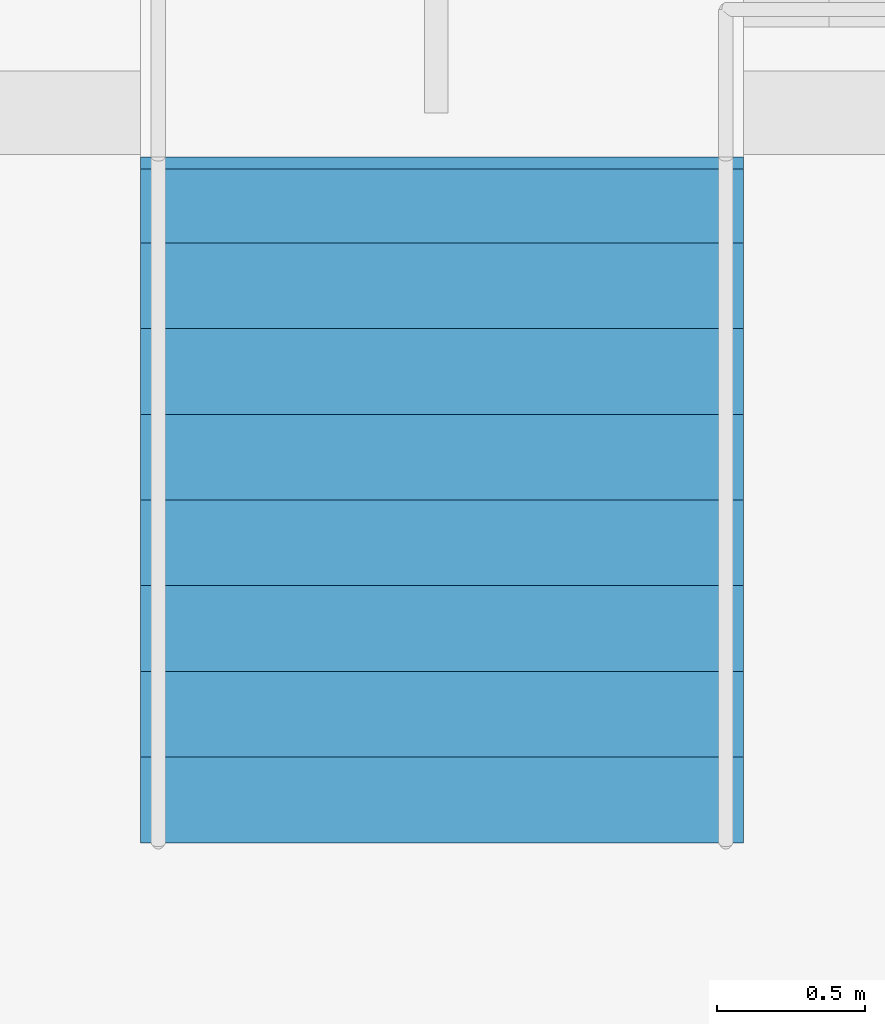
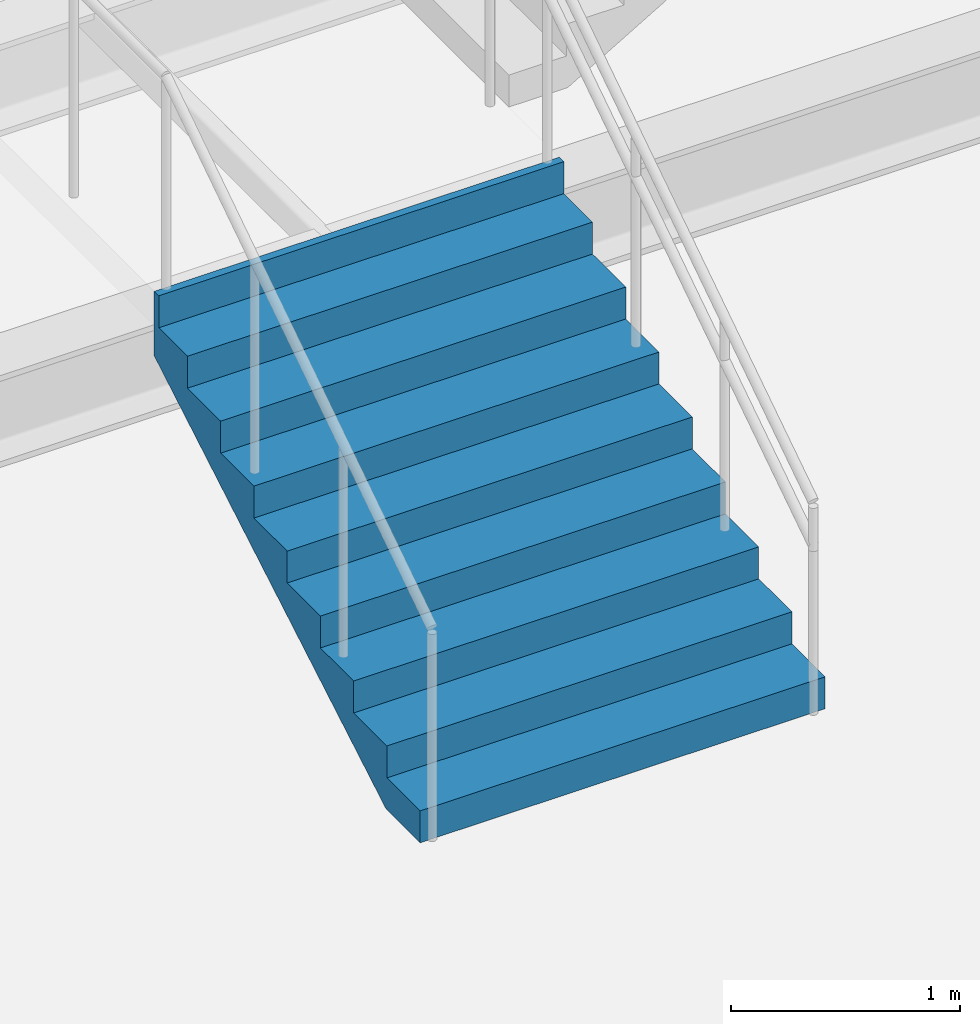
# One storey, part 42 of 49: 1 stair flight, 1 element without a shape of its own.
"""IFC4 building model written with IfcOpenShell, lengths in metres."""

from ifc_helpers import new_model, si_unit, direction, frame, origin, place, context, subcontext, project, spatial, triangles, material, type_object, element, aggregate, save


model = new_model("IFC4")

# Units and contexts
model_context = context("Model", 3, precision=1e-05, world=origin(), true_north=direction((0.0, 1.0)))
body_context = subcontext(model_context, "Body", "Model", "MODEL_VIEW")
ifc_project = project(units=[si_unit("LENGTHUNIT", "METRE"), si_unit("AREAUNIT", "SQUARE_METRE"), si_unit("VOLUMEUNIT", "CUBIC_METRE"), si_unit("PLANEANGLEUNIT", "RADIAN"), si_unit("MASSUNIT", "GRAM", prefix="KILO")], contexts=[model_context])

# Site, building, storey
site_placement = place(None, origin())
site = spatial("IfcSite", under=ifc_project, at=site_placement, CompositionType="ELEMENT")
building_placement = place(site_placement, origin())
building = spatial("IfcBuilding", under=site, at=building_placement, Name="Sillaruma Civic Art Gallery", CompositionType="ELEMENT")
storey_placement = place(building_placement, frame((0.0, 0.0, 33.14990234375)))
storey = spatial("IfcBuildingStorey", under=building, at=storey_placement, Name="L06", CompositionType="ELEMENT", Elevation=33.14990234375)

# Stair, stair flight
ifc_material = material(Name="Concrete H35 (35 MPa)", Category="concrete")
stair_type = type_object("IfcStairType", Name="STR-3F-27", PredefinedType="TWO_QUARTER_TURN_STAIR", material=ifc_material)
stair_placement = place(storey_placement, origin())
stair = element("IfcStair", 1, at=stair_placement, inside=storey, type_object=stair_type, Name="Monumental Gallery Feature Stair ST-G03 (L06)", PredefinedType="TWO_QUARTER_TURN_STAIR")
stair_flight_type = type_object("IfcStairFlightType", Name="SFL-STR-9", PredefinedType="STRAIGHT", material=ifc_material)
stair_flight_placement = place(storey_placement, frame((85.6201171875, 71.0, 0.0), z_axis=(0.0, 0.0, 1.0), x_axis=(0.0, 1.0, 0.0)))
stair_flight = element("IfcStairFlight", 2, at=stair_flight_placement, type_object=stair_flight_type, Name="ST-G03 flight 1", NumberOfRisers=9, NumberOfTreads=8, PredefinedType="STRAIGHT", RiserHeight=0.17, TreadLength=0.29, context=body_context, shape_type="Tessellation", body=[
    triangles([(0.0, -1.02001953125, 0.0), (0.29, -1.02001953125, 0.0), (0.296482, -1.02001953125, 0.0), (0.58, -1.02001953125, 0.1662), (0.87, -1.02001953125, 0.3362), (1.16, -1.02001953125, 0.5062), (1.45, -1.02001953125, 0.6762), (1.74, -1.02001953125, 0.8462), (2.03, -1.02001953125, 1.0162), (2.280068, -1.02001953125, 1.162792), (2.320068, -1.02001953125, 1.18624), (2.320068, -1.02001953125, 1.53), (2.280068, -1.02001953125, 1.53), (2.280068, -1.02001953125, 1.36), (2.03, -1.02001953125, 1.36), (2.03, -1.02001953125, 1.19), (1.74, -1.02001953125, 1.19), (1.74, -1.02001953125, 1.02), (1.45, -1.02001953125, 1.02), (1.45, -1.02001953125, 0.85), (1.16, -1.02001953125, 0.85), (1.16, -1.02001953125, 0.68), (0.87, -1.02001953125, 0.68), (0.87, -1.02001953125, 0.51), (0.58, -1.02001953125, 0.51), (0.58, -1.02001953125, 0.34), (0.296482, -1.02001953125, 0.34), (0.29, -1.02001953125, 0.34), (0.29, -1.02001953125, 0.17), (0.0, -1.02001953125, 0.17), (0.0, -0.05, 0.0), (0.29, -0.05, 0.0), (0.296482, -0.05, 0.0), (0.58, -0.05, 0.1662), (0.87, -0.05, 0.3362), (1.16, -0.05, 0.5062), (1.45, -0.05, 0.6762), (1.74, -0.05, 0.8462), (2.03, -0.05, 1.0162), (2.280068, -0.05, 1.162792), (2.320068, -0.05, 1.18624), (2.320068, -0.05, 1.53), (2.280068, -0.05, 1.53), (2.280068, -0.05, 1.36), (2.03, -0.05, 1.36), (2.03, -0.05, 1.19), (1.74, -0.05, 1.19), (1.74, -0.05, 1.02), (1.45, -0.05, 1.02), (1.45, -0.05, 0.85), (1.16, -0.05, 0.85), (1.16, -0.05, 0.68), (0.87, -0.05, 0.68), (0.87, -0.05, 0.51), (0.58, -0.05, 0.51), (0.58, -0.05, 0.34), (0.296482, -0.05, 0.34), (0.29, -0.05, 0.34), (0.29, -0.05, 0.17), (0.0, -0.05, 0.17), (0.0, -0.0375, 0.0), (0.29, -0.0375, 0.0), (0.296482, -0.0375, 0.0), (0.58, -0.0375, 0.1662), (0.87, -0.0375, 0.3362), (1.16, -0.0375, 0.5062), (1.45, -0.0375, 0.6762), (1.74, -0.0375, 0.8462), (2.03, -0.0375, 1.0162), (2.280068, -0.0375, 1.162792), (2.320068, -0.0375, 1.18624), (2.320068, -0.0375, 1.53), (2.280068, -0.0375, 1.53), (2.280068, -0.0375, 1.36), (2.03, -0.0375, 1.36), (2.03, -0.0375, 1.19), (1.74, -0.0375, 1.19), (1.74, -0.0375, 1.02), (1.45, -0.0375, 1.02), (1.45, -0.0375, 0.85), (1.16, -0.0375, 0.85), (1.16, -0.0375, 0.68), (0.87, -0.0375, 0.68), (0.87, -0.0375, 0.51), (0.58, -0.0375, 0.51), (0.58, -0.0375, 0.34), (0.296482, -0.0375, 0.34), (0.29, -0.0375, 0.34), (0.29, -0.0375, 0.17), (0.0, -0.0375, 0.17), (0.0, -0.025, 0.0), (0.29, -0.025, 0.0), (0.296482, -0.025, 0.0), (0.58, -0.025, 0.1662), (0.87, -0.025, 0.3362), (1.16, -0.025, 0.5062), (1.45, -0.025, 0.6762), (1.74, -0.025, 0.8462), (2.03, -0.025, 1.0162), (2.280068, -0.025, 1.162792), (2.320068, -0.025, 1.18624), (2.320068, -0.025, 1.53), (2.280068, -0.025, 1.53), (2.280068, -0.025, 1.36), (2.03, -0.025, 1.36), (2.03, -0.025, 1.19), (1.74, -0.025, 1.19), (1.74, -0.025, 1.02), (1.45, -0.025, 1.02), (1.45, -0.025, 0.85), (1.16, -0.025, 0.85), (1.16, -0.025, 0.68), (0.87, -0.025, 0.68), (0.87, -0.025, 0.51), (0.58, -0.025, 0.51), (0.58, -0.025, 0.34), (0.296482, -0.025, 0.34), (0.29, -0.025, 0.34), (0.29, -0.025, 0.17), (0.0, -0.025, 0.17), (0.0, -0.0125, 0.0), (0.29, -0.0125, 0.0), (0.296482, -0.0125, 0.0), (0.58, -0.0125, 0.1662), (0.87, -0.0125, 0.3362), (1.16, -0.0125, 0.5062), (1.45, -0.0125, 0.6762), (1.74, -0.0125, 0.8462), (2.03, -0.0125, 1.0162), (2.280068, -0.0125, 1.162792), (2.320068, -0.0125, 1.18624), (2.320068, -0.0125, 1.53), (2.280068, -0.0125, 1.53), (2.280068, -0.0125, 1.36), (2.03, -0.0125, 1.36), (2.03, -0.0125, 1.19), (1.74, -0.0125, 1.19), (1.74, -0.0125, 1.02), (1.45, -0.0125, 1.02), (1.45, -0.0125, 0.85), (1.16, -0.0125, 0.85), (1.16, -0.0125, 0.68), (0.87, -0.0125, 0.68), (0.87, -0.0125, 0.51), (0.58, -0.0125, 0.51), (0.58, -0.0125, 0.34), (0.296482, -0.0125, 0.34), (0.29, -0.0125, 0.34), (0.29, -0.0125, 0.17), (0.0, -0.0125, 0.17), (0.0, 0.0, 0.0), (0.29, 0.0, 0.0), (0.296482, 0.0, 0.0), (0.58, 0.0, 0.1662), (0.87, 0.0, 0.3362), (1.16, 0.0, 0.5062), (1.45, 0.0, 0.6762), (1.74, 0.0, 0.8462), (2.03, 0.0, 1.0162), (2.280068, 0.0, 1.162792), (2.320068, 0.0, 1.18624), (2.320068, 0.0, 1.53), (2.280068, 0.0, 1.53), (2.280068, 0.0, 1.36), (2.03, 0.0, 1.36), (2.03, 0.0, 1.19), (1.74, 0.0, 1.19), (1.74, 0.0, 1.02), (1.45, 0.0, 1.02), (1.45, 0.0, 0.85), (1.16, 0.0, 0.85), (1.16, 0.0, 0.68), (0.87, 0.0, 0.68), (0.87, 0.0, 0.51), (0.58, 0.0, 0.51), (0.58, 0.0, 0.34), (0.296482, 0.0, 0.34), (0.29, 0.0, 0.34), (0.29, 0.0, 0.17), (0.0, 0.0, 0.17), (0.0, 0.0125, 0.0), (0.29, 0.0125, 0.0), (0.296482, 0.0125, 0.0), (0.58, 0.0125, 0.1662), (0.87, 0.0125, 0.3362), (1.16, 0.0125, 0.5062), (1.45, 0.0125, 0.6762), (1.74, 0.0125, 0.8462), (2.03, 0.0125, 1.0162), (2.280068, 0.0125, 1.162792), (2.320068, 0.0125, 1.18624), (2.320068, 0.0125, 1.53), (2.280068, 0.0125, 1.53), (2.280068, 0.0125, 1.36), (2.03, 0.0125, 1.36), (2.03, 0.0125, 1.19), (1.74, 0.0125, 1.19), (1.74, 0.0125, 1.02), (1.45, 0.0125, 1.02), (1.45, 0.0125, 0.85), (1.16, 0.0125, 0.85), (1.16, 0.0125, 0.68), (0.87, 0.0125, 0.68), (0.87, 0.0125, 0.51), (0.58, 0.0125, 0.51), (0.58, 0.0125, 0.34), (0.296482, 0.0125, 0.34), (0.29, 0.0125, 0.34), (0.29, 0.0125, 0.17), (0.0, 0.0125, 0.17), (0.0, 0.025, 0.0), (0.29, 0.025, 0.0), (0.296482, 0.025, 0.0), (0.58, 0.025, 0.1662), (0.87, 0.025, 0.3362), (1.16, 0.025, 0.5062), (1.45, 0.025, 0.6762), (1.74, 0.025, 0.8462), (2.03, 0.025, 1.0162), (2.280068, 0.025, 1.162792), (2.320068, 0.025, 1.18624), (2.320068, 0.025, 1.53), (2.280068, 0.025, 1.53), (2.280068, 0.025, 1.36), (2.03, 0.025, 1.36), (2.03, 0.025, 1.19), (1.74, 0.025, 1.19), (1.74, 0.025, 1.02), (1.45, 0.025, 1.02), (1.45, 0.025, 0.85), (1.16, 0.025, 0.85), (1.16, 0.025, 0.68), (0.87, 0.025, 0.68), (0.87, 0.025, 0.51), (0.58, 0.025, 0.51), (0.58, 0.025, 0.34), (0.296482, 0.025, 0.34), (0.29, 0.025, 0.34), (0.29, 0.025, 0.17), (0.0, 0.025, 0.17), (0.0, 0.0375, 0.0), (0.29, 0.0375, 0.0), (0.296482, 0.0375, 0.0), (0.58, 0.0375, 0.1662), (0.87, 0.0375, 0.3362), (1.16, 0.0375, 0.5062), (1.45, 0.0375, 0.6762), (1.74, 0.0375, 0.8462), (2.03, 0.0375, 1.0162), (2.280068, 0.0375, 1.162792), (2.320068, 0.0375, 1.18624), (2.320068, 0.0375, 1.53), (2.280068, 0.0375, 1.53), (2.280068, 0.0375, 1.36), (2.03, 0.0375, 1.36), (2.03, 0.0375, 1.19), (1.74, 0.0375, 1.19), (1.74, 0.0375, 1.02), (1.45, 0.0375, 1.02), (1.45, 0.0375, 0.85), (1.16, 0.0375, 0.85), (1.16, 0.0375, 0.68), (0.87, 0.0375, 0.68), (0.87, 0.0375, 0.51), (0.58, 0.0375, 0.51), (0.58, 0.0375, 0.34), (0.296482, 0.0375, 0.34), (0.29, 0.0375, 0.34), (0.29, 0.0375, 0.17), (0.0, 0.0375, 0.17), (0.0, 0.05, 0.0), (0.29, 0.05, 0.0), (0.296482, 0.05, 0.0), (0.58, 0.05, 0.1662), (0.87, 0.05, 0.3362), (1.16, 0.05, 0.5062), (1.45, 0.05, 0.6762), (1.74, 0.05, 0.8462), (2.03, 0.05, 1.0162), (2.280068, 0.05, 1.162792), (2.320068, 0.05, 1.18624), (2.320068, 0.05, 1.53), (2.280068, 0.05, 1.53), (2.280068, 0.05, 1.36), (2.03, 0.05, 1.36), (2.03, 0.05, 1.19), (1.74, 0.05, 1.19), (1.74, 0.05, 1.02), (1.45, 0.05, 1.02), (1.45, 0.05, 0.85), (1.16, 0.05, 0.85), (1.16, 0.05, 0.68), (0.87, 0.05, 0.68), (0.87, 0.05, 0.51), (0.58, 0.05, 0.51), (0.58, 0.05, 0.34), (0.296482, 0.05, 0.34), (0.29, 0.05, 0.34), (0.29, 0.05, 0.17), (0.0, 0.05, 0.17), (0.0, 1.02001953125, 0.0), (0.29, 1.02001953125, 0.0), (0.296482, 1.02001953125, 0.0), (0.58, 1.02001953125, 0.1662), (0.87, 1.02001953125, 0.3362), (1.16, 1.02001953125, 0.5062), (1.45, 1.02001953125, 0.6762), (1.74, 1.02001953125, 0.8462), (2.03, 1.02001953125, 1.0162), (2.280068, 1.02001953125, 1.162792), (2.320068, 1.02001953125, 1.18624), (2.320068, 1.02001953125, 1.53), (2.280068, 1.02001953125, 1.53), (2.280068, 1.02001953125, 1.36), (2.03, 1.02001953125, 1.36), (2.03, 1.02001953125, 1.19), (1.74, 1.02001953125, 1.19), (1.74, 1.02001953125, 1.02), (1.45, 1.02001953125, 1.02), (1.45, 1.02001953125, 0.85), (1.16, 1.02001953125, 0.85), (1.16, 1.02001953125, 0.68), (0.87, 1.02001953125, 0.68), (0.87, 1.02001953125, 0.51), (0.58, 1.02001953125, 0.51), (0.58, 1.02001953125, 0.34), (0.296482, 1.02001953125, 0.34), (0.29, 1.02001953125, 0.34), (0.29, 1.02001953125, 0.17), (0.0, 1.02001953125, 0.17)], [[1, 2, 29], [1, 29, 30], [2, 3, 27], [2, 27, 29], [29, 27, 28], [3, 4, 26], [3, 26, 27], [4, 5, 24], [4, 24, 26], [26, 24, 25], [5, 6, 22], [5, 22, 24], [24, 22, 23], [6, 7, 20], [6, 20, 22], [22, 20, 21], [7, 8, 18], [7, 18, 20], [20, 18, 19], [8, 9, 16], [8, 16, 18], [18, 16, 17], [9, 10, 14], [9, 14, 16], [16, 14, 15], [10, 11, 12], [10, 12, 14], [14, 12, 13], [329, 302, 301], [330, 329, 301], [327, 303, 302], [329, 327, 302], [328, 327, 329], [326, 304, 303], [327, 326, 303], [324, 305, 304], [326, 324, 304], [325, 324, 326], [322, 306, 305], [324, 322, 305], [323, 322, 324], [320, 307, 306], [322, 320, 306], [321, 320, 322], [318, 308, 307], [320, 318, 307], [319, 318, 320], [316, 309, 308], [318, 316, 308], [317, 316, 318], [314, 310, 309], [316, 314, 309], [315, 314, 316], [312, 311, 310], [314, 312, 310], [313, 312, 314], [2, 1, 31], [2, 31, 32], [3, 2, 32], [3, 32, 33], [4, 3, 33], [4, 33, 34], [5, 4, 34], [5, 34, 35], [6, 5, 35], [6, 35, 36], [7, 6, 36], [7, 36, 37], [8, 7, 37], [8, 37, 38], [9, 8, 38], [9, 38, 39], [10, 9, 39], [10, 39, 40], [11, 10, 40], [11, 40, 41], [12, 11, 41], [12, 41, 42], [13, 12, 42], [13, 42, 43], [14, 13, 43], [14, 43, 44], [15, 14, 44], [15, 44, 45], [16, 15, 45], [16, 45, 46], [17, 16, 46], [17, 46, 47], [18, 17, 47], [18, 47, 48], [19, 18, 48], [19, 48, 49], [20, 19, 49], [20, 49, 50], [21, 20, 50], [21, 50, 51], [22, 21, 51], [22, 51, 52], [23, 22, 52], [23, 52, 53], [24, 23, 53], [24, 53, 54], [25, 24, 54], [25, 54, 55], [26, 25, 55], [26, 55, 56], [27, 26, 56], [27, 56, 57], [28, 27, 57], [28, 57, 58], [29, 28, 58], [29, 58, 59], [30, 29, 59], [30, 59, 60], [1, 30, 60], [1, 60, 31], [32, 31, 61], [32, 61, 62], [33, 32, 62], [33, 62, 63], [34, 33, 63], [34, 63, 64], [35, 34, 64], [35, 64, 65], [36, 35, 65], [36, 65, 66], [37, 36, 66], [37, 66, 67], [38, 37, 67], [38, 67, 68], [39, 38, 68], [39, 68, 69], [40, 39, 69], [40, 69, 70], [41, 40, 70], [41, 70, 71], [42, 41, 71], [42, 71, 72], [43, 42, 72], [43, 72, 73], [44, 43, 73], [44, 73, 74], [45, 44, 74], [45, 74, 75], [46, 45, 75], [46, 75, 76], [47, 46, 76], [47, 76, 77], [48, 47, 77], [48, 77, 78], [49, 48, 78], [49, 78, 79], [50, 49, 79], [50, 79, 80], [51, 50, 80], [51, 80, 81], [52, 51, 81], [52, 81, 82], [53, 52, 82], [53, 82, 83], [54, 53, 83], [54, 83, 84], [55, 54, 84], [55, 84, 85], [56, 55, 85], [56, 85, 86], [57, 56, 86], [57, 86, 87], [58, 57, 87], [58, 87, 88], [59, 58, 88], [59, 88, 89], [60, 59, 89], [60, 89, 90], [31, 60, 90], [31, 90, 61], [62, 61, 91], [62, 91, 92], [63, 62, 92], [63, 92, 93], [64, 63, 93], [64, 93, 94], [65, 64, 94], [65, 94, 95], [66, 65, 95], [66, 95, 96], [67, 66, 96], [67, 96, 97], [68, 67, 97], [68, 97, 98], [69, 68, 98], [69, 98, 99], [70, 69, 99], [70, 99, 100], [71, 70, 100], [71, 100, 101], [72, 71, 101], [72, 101, 102], [73, 72, 102], [73, 102, 103], [74, 73, 103], [74, 103, 104], [75, 74, 104], [75, 104, 105], [76, 75, 105], [76, 105, 106], [77, 76, 106], [77, 106, 107], [78, 77, 107], [78, 107, 108], [79, 78, 108], [79, 108, 109], [80, 79, 109], [80, 109, 110], [81, 80, 110], [81, 110, 111], [82, 81, 111], [82, 111, 112], [83, 82, 112], [83, 112, 113], [84, 83, 113], [84, 113, 114], [85, 84, 114], [85, 114, 115], [86, 85, 115], [86, 115, 116], [87, 86, 116], [87, 116, 117], [88, 87, 117], [88, 117, 118], [89, 88, 118], [89, 118, 119], [90, 89, 119], [90, 119, 120], [61, 90, 120], [61, 120, 91], [92, 91, 121], [92, 121, 122], [93, 92, 122], [93, 122, 123], [94, 93, 123], [94, 123, 124], [95, 94, 124], [95, 124, 125], [96, 95, 125], [96, 125, 126], [97, 96, 126], [97, 126, 127], [98, 97, 127], [98, 127, 128], [99, 98, 128], [99, 128, 129], [100, 99, 129], [100, 129, 130], [101, 100, 130], [101, 130, 131], [102, 101, 131], [102, 131, 132], [103, 102, 132], [103, 132, 133], [104, 103, 133], [104, 133, 134], [105, 104, 134], [105, 134, 135], [106, 105, 135], [106, 135, 136], [107, 106, 136], [107, 136, 137], [108, 107, 137], [108, 137, 138], [109, 108, 138], [109, 138, 139], [110, 109, 139], [110, 139, 140], [111, 110, 140], [111, 140, 141], [112, 111, 141], [112, 141, 142], [113, 112, 142], [113, 142, 143], [114, 113, 143], [114, 143, 144], [115, 114, 144], [115, 144, 145], [116, 115, 145], [116, 145, 146], [117, 116, 146], [117, 146, 147], [118, 117, 147], [118, 147, 148], [119, 118, 148], [119, 148, 149], [120, 119, 149], [120, 149, 150], [91, 120, 150], [91, 150, 121], [122, 121, 151], [122, 151, 152], [123, 122, 152], [123, 152, 153], [124, 123, 153], [124, 153, 154], [125, 124, 154], [125, 154, 155], [126, 125, 155], [126, 155, 156], [127, 126, 156], [127, 156, 157], [128, 127, 157], [128, 157, 158], [129, 128, 158], [129, 158, 159], [130, 129, 159], [130, 159, 160], [131, 130, 160], [131, 160, 161], [132, 131, 161], [132, 161, 162], [133, 132, 162], [133, 162, 163], [134, 133, 163], [134, 163, 164], [135, 134, 164], [135, 164, 165], [136, 135, 165], [136, 165, 166], [137, 136, 166], [137, 166, 167], [138, 137, 167], [138, 167, 168], [139, 138, 168], [139, 168, 169], [140, 139, 169], [140, 169, 170], [141, 140, 170], [141, 170, 171], [142, 141, 171], [142, 171, 172], [143, 142, 172], [143, 172, 173], [144, 143, 173], [144, 173, 174], [145, 144, 174], [145, 174, 175], [146, 145, 175], [146, 175, 176], [147, 146, 176], [147, 176, 177], [148, 147, 177], [148, 177, 178], [149, 148, 178], [149, 178, 179], [150, 149, 179], [150, 179, 180], [121, 150, 180], [121, 180, 151], [152, 151, 181], [152, 181, 182], [153, 152, 182], [153, 182, 183], [154, 153, 183], [154, 183, 184], [155, 154, 184], [155, 184, 185], [156, 155, 185], [156, 185, 186], [157, 156, 186], [157, 186, 187], [158, 157, 187], [158, 187, 188], [159, 158, 188], [159, 188, 189], [160, 159, 189], [160, 189, 190], [161, 160, 190], [161, 190, 191], [162, 161, 191], [162, 191, 192], [163, 162, 192], [163, 192, 193], [164, 163, 193], [164, 193, 194], [165, 164, 194], [165, 194, 195], [166, 165, 195], [166, 195, 196], [167, 166, 196], [167, 196, 197], [168, 167, 197], [168, 197, 198], [169, 168, 198], [169, 198, 199], [170, 169, 199], [170, 199, 200], [171, 170, 200], [171, 200, 201], [172, 171, 201], [172, 201, 202], [173, 172, 202], [173, 202, 203], [174, 173, 203], [174, 203, 204], [175, 174, 204], [175, 204, 205], [176, 175, 205], [176, 205, 206], [177, 176, 206], [177, 206, 207], [178, 177, 207], [178, 207, 208], [179, 178, 208], [179, 208, 209], [180, 179, 209], [180, 209, 210], [151, 180, 210], [151, 210, 181], [182, 181, 211], [182, 211, 212], [183, 182, 212], [183, 212, 213], [184, 183, 213], [184, 213, 214], [185, 184, 214], [185, 214, 215], [186, 185, 215], [186, 215, 216], [187, 186, 216], [187, 216, 217], [188, 187, 217], [188, 217, 218], [189, 188, 218], [189, 218, 219], [190, 189, 219], [190, 219, 220], [191, 190, 220], [191, 220, 221], [192, 191, 221], [192, 221, 222], [193, 192, 222], [193, 222, 223], [194, 193, 223], [194, 223, 224], [195, 194, 224], [195, 224, 225], [196, 195, 225], [196, 225, 226], [197, 196, 226], [197, 226, 227], [198, 197, 227], [198, 227, 228], [199, 198, 228], [199, 228, 229], [200, 199, 229], [200, 229, 230], [201, 200, 230], [201, 230, 231], [202, 201, 231], [202, 231, 232], [203, 202, 232], [203, 232, 233], [204, 203, 233], [204, 233, 234], [205, 204, 234], [205, 234, 235], [206, 205, 235], [206, 235, 236], [207, 206, 236], [207, 236, 237], [208, 207, 237], [208, 237, 238], [209, 208, 238], [209, 238, 239], [210, 209, 239], [210, 239, 240], [181, 210, 240], [181, 240, 211], [212, 211, 241], [212, 241, 242], [213, 212, 242], [213, 242, 243], [214, 213, 243], [214, 243, 244], [215, 214, 244], [215, 244, 245], [216, 215, 245], [216, 245, 246], [217, 216, 246], [217, 246, 247], [218, 217, 247], [218, 247, 248], [219, 218, 248], [219, 248, 249], [220, 219, 249], [220, 249, 250], [221, 220, 250], [221, 250, 251], [222, 221, 251], [222, 251, 252], [223, 222, 252], [223, 252, 253], [224, 223, 253], [224, 253, 254], [225, 224, 254], [225, 254, 255], [226, 225, 255], [226, 255, 256], [227, 226, 256], [227, 256, 257], [228, 227, 257], [228, 257, 258], [229, 228, 258], [229, 258, 259], [230, 229, 259], [230, 259, 260], [231, 230, 260], [231, 260, 261], [232, 231, 261], [232, 261, 262], [233, 232, 262], [233, 262, 263], [234, 233, 263], [234, 263, 264], [235, 234, 264], [235, 264, 265], [236, 235, 265], [236, 265, 266], [237, 236, 266], [237, 266, 267], [238, 237, 267], [238, 267, 268], [239, 238, 268], [239, 268, 269], [240, 239, 269], [240, 269, 270], [211, 240, 270], [211, 270, 241], [242, 241, 271], [242, 271, 272], [243, 242, 272], [243, 272, 273], [244, 243, 273], [244, 273, 274], [245, 244, 274], [245, 274, 275], [246, 245, 275], [246, 275, 276], [247, 246, 276], [247, 276, 277], [248, 247, 277], [248, 277, 278], [249, 248, 278], [249, 278, 279], [250, 249, 279], [250, 279, 280], [251, 250, 280], [251, 280, 281], [252, 251, 281], [252, 281, 282], [253, 252, 282], [253, 282, 283], [254, 253, 283], [254, 283, 284], [255, 254, 284], [255, 284, 285], [256, 255, 285], [256, 285, 286], [257, 256, 286], [257, 286, 287], [258, 257, 287], [258, 287, 288], [259, 258, 288], [259, 288, 289], [260, 259, 289], [260, 289, 290], [261, 260, 290], [261, 290, 291], [262, 261, 291], [262, 291, 292], [263, 262, 292], [263, 292, 293], [264, 263, 293], [264, 293, 294], [265, 264, 294], [265, 294, 295], [266, 265, 295], [266, 295, 296], [267, 266, 296], [267, 296, 297], [268, 267, 297], [268, 297, 298], [269, 268, 298], [269, 298, 299], [270, 269, 299], [270, 299, 300], [241, 270, 300], [241, 300, 271], [272, 271, 301], [272, 301, 302], [273, 272, 302], [273, 302, 303], [274, 273, 303], [274, 303, 304], [275, 274, 304], [275, 304, 305], [276, 275, 305], [276, 305, 306], [277, 276, 306], [277, 306, 307], [278, 277, 307], [278, 307, 308], [279, 278, 308], [279, 308, 309], [280, 279, 309], [280, 309, 310], [281, 280, 310], [281, 310, 311], [282, 281, 311], [282, 311, 312], [283, 282, 312], [283, 312, 313], [284, 283, 313], [284, 313, 314], [285, 284, 314], [285, 314, 315], [286, 285, 315], [286, 315, 316], [287, 286, 316], [287, 316, 317], [288, 287, 317], [288, 317, 318], [289, 288, 318], [289, 318, 319], [290, 289, 319], [290, 319, 320], [291, 290, 320], [291, 320, 321], [292, 291, 321], [292, 321, 322], [293, 292, 322], [293, 322, 323], [294, 293, 323], [294, 323, 324], [295, 294, 324], [295, 324, 325], [296, 295, 325], [296, 325, 326], [297, 296, 326], [297, 326, 327], [298, 297, 327], [298, 327, 328], [299, 298, 328], [299, 328, 329], [300, 299, 329], [300, 329, 330], [271, 300, 330], [271, 330, 301]], closed=True),
])
aggregate(stair, [stair_flight])

save(model, "model.ifc")
